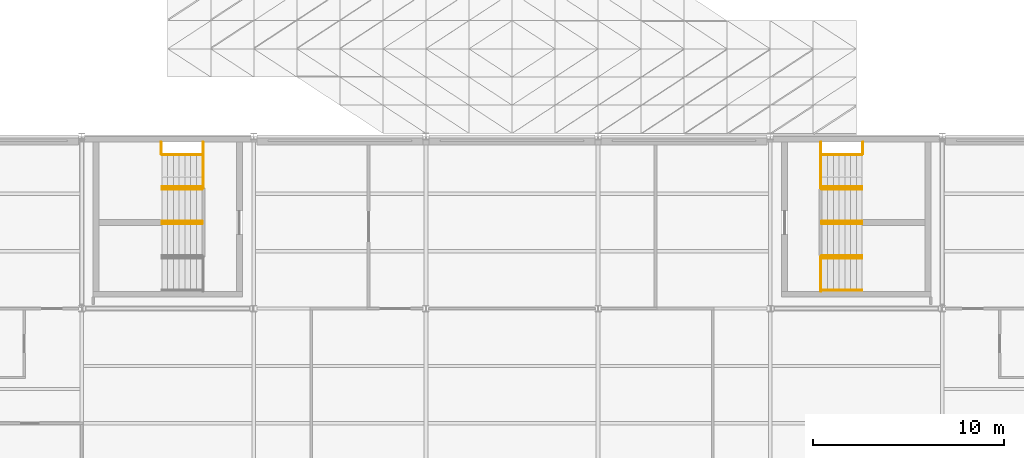
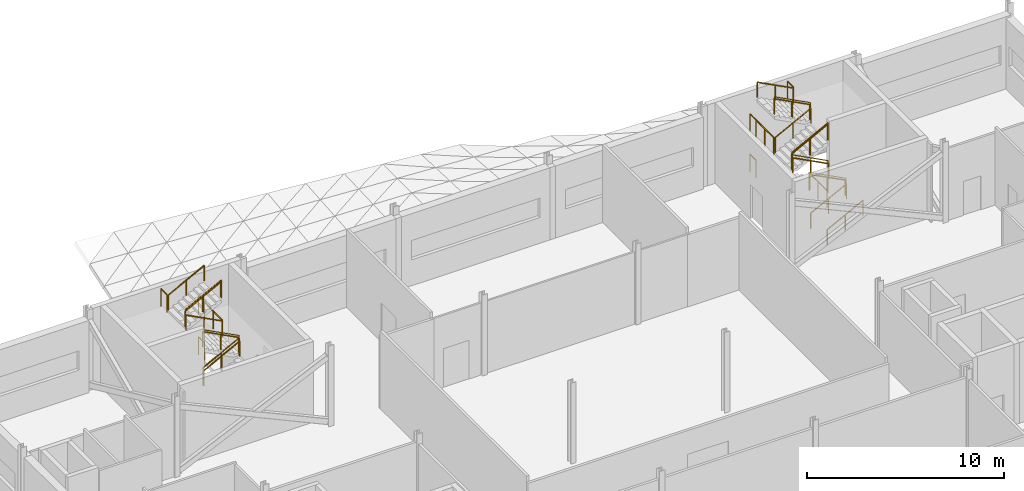
# One storey, part 111 of 112: 29 railings.
"""IFC4 building model written with IfcOpenShell, lengths in metres."""

from ifc_helpers import new_model, si_unit, direction, frame, origin, origin_2d, place, context, subcontext, project, spatial, circle, extrude, material, type_object, element, save


model = new_model("IFC4")

# Units and contexts
model_context = context("Model", 3, precision=1e-05, world=origin(), true_north=direction((0.0, 1.0)))
body_context = subcontext(model_context, "Body", "Model", "MODEL_VIEW")
ifc_project = project(units=[si_unit("LENGTHUNIT", "METRE"), si_unit("AREAUNIT", "SQUARE_METRE"), si_unit("VOLUMEUNIT", "CUBIC_METRE"), si_unit("PLANEANGLEUNIT", "RADIAN"), si_unit("MASSUNIT", "GRAM", prefix="KILO")], contexts=[model_context])

# Site, building, storey
site_placement = place(None, origin())
site = spatial("IfcSite", under=ifc_project, at=site_placement, CompositionType="ELEMENT")
building_placement = place(site_placement, origin())
building = spatial("IfcBuilding", under=site, at=building_placement, Name="Shorebreak Coast Museum", CompositionType="ELEMENT")
storey_placement = place(building_placement, frame((0.0, 0.0, 6.0)))
storey = spatial("IfcBuildingStorey", under=building, at=storey_placement, Name="L01", CompositionType="ELEMENT", Elevation=6.0)

# Railings
ifc_material_1 = material(Name="Steel Grade 300", Category="steel")
railing_type_1 = type_object("IfcRailingType", Name="Stair guard 1100", PredefinedType="GUARDRAIL", material=ifc_material_1)
railing_1_placement = place(storey_placement, frame((69.35009765625, 114.300048828125, 2.5)))
element("IfcRailing", 1, at=railing_1_placement, inside=storey, type_object=railing_type_1, Name="Guard ST09 L01 landing mid1", PredefinedType="GUARDRAIL", context=body_context, shape_type="SweptSolid", body=[
    extrude(circle(Radius=0.02490234375, at=origin_2d()), frame((0.0, 0.0, 1.0751953125), z_axis=(0.0, 1.0, 0.0), x_axis=(-1.0, 0.0, 0.0)), (0.0, 0.0, 1.0), 1.800048828125),
    extrude(circle(Radius=0.02001953125, at=origin_2d()), origin(), (0.0, 0.0, 1.0), 1.050048828125),
    extrude(circle(Radius=0.02001953125, at=origin_2d()), frame((0.0, 0.89990234375, 0.0)), (0.0, 0.0, 1.0), 1.050048828125),
    extrude(circle(Radius=0.02001953125, at=origin_2d()), frame((0.0, 1.800048828125, 0.0)), (0.0, 0.0, 1.0), 1.050048828125),
])
for number, where, name in (
    (2, (69.35009765625, 116.10009765625, 0.0), "Guard ST09 L01 landing strip"),
    (3, (69.35009765625, 116.10009765625, 2.5), "Guard ST09 L01 landing strip"),
    (4, (67.14990234375, 116.10009765625, 3.75), "Guard ST09 L01 landing strip"),
):
    element("IfcRailing", number, at=place(storey_placement, frame(where)), inside=storey, type_object=railing_type_1, Name=name, PredefinedType="GUARDRAIL", context=body_context, shape_type="SweptSolid", body=[
        extrude(circle(Radius=0.02490234375, at=origin_2d()), frame((0.0, 0.0, 1.0751953125), z_axis=(0.0, 1.0, 0.0), x_axis=(-1.0, 0.0, 0.0)), (0.0, 0.0, 1.0), 0.599853515625),
        extrude(circle(Radius=0.02001953125, at=origin_2d()), origin(), (0.0, 0.0, 1.0), 1.050048828125),
        extrude(circle(Radius=0.02001953125, at=origin_2d()), frame((0.0, 0.599853515625, 0.0)), (0.0, 0.0, 1.0), 1.050048828125),
    ])
for number, where, name in (
    (5, (67.199951171875, 114.300048828125, 3.90625), "Guard ST09-L01 well 2"),
    (6, (67.199951171875, 112.5, 1.40625), "Guard ST09-L01 side 1"),
):
    element("IfcRailing", number, at=place(storey_placement, frame(where)), inside=storey, type_object=railing_type_1, Name=name, PredefinedType="GUARDRAIL", context=body_context, shape_type="SweptSolid", body=[
        extrude(circle(Radius=0.02490234375, at=origin_2d()), frame((0.0, 0.0, 1.0751953125), z_axis=(0.8869228845, 0.0, 0.461917521804), x_axis=(0.0, 1.0, 0.0)), (0.0, 0.0, 1.0), 2.367919921875),
        extrude(circle(Radius=0.02001953125, at=origin_2d()), origin(), (0.0, 0.0, 1.0), 1.050048828125),
        extrude(circle(Radius=0.02001953125, at=origin_2d()), frame((1.050048828125, 0.0, 0.546875)), (0.0, 0.0, 1.0), 1.050048828125),
        extrude(circle(Radius=0.02001953125, at=origin_2d()), frame((2.10009765625, 0.0, 1.09375)), (0.0, 0.0, 1.0), 1.050048828125),
    ])
railing_2_placement = place(storey_placement, frame((69.300048828125, 112.5, 2.65625)))
element("IfcRailing", 7, at=railing_2_placement, inside=storey, type_object=railing_type_1, Name="Guard ST09-L01 side 2", PredefinedType="GUARDRAIL", context=body_context, shape_type="SweptSolid", body=[
    extrude(circle(Radius=0.02490234375, at=origin_2d()), frame((0.0, 0.0, 1.0751953125), z_axis=(-0.8869228845, 0.0, 0.461917521804), x_axis=(0.0, -1.0, 0.0)), (0.0, 0.0, 1.0), 2.367919921875),
    extrude(circle(Radius=0.02001953125, at=origin_2d()), origin(), (0.0, 0.0, 1.0), 1.050048828125),
    extrude(circle(Radius=0.02001953125, at=origin_2d()), frame((-1.050048828125, 0.0, 0.546875)), (0.0, 0.0, 1.0), 1.050048828125),
    extrude(circle(Radius=0.02001953125, at=origin_2d()), frame((-2.10009765625, 0.0, 1.09375)), (0.0, 0.0, 1.0), 1.050048828125),
])
for number, where, name in (
    (8, (101.64990234375, 108.89990234375, 2.5), "Guard ST10 L01 landing mid1"),
    (9, (101.64990234375, 114.300048828125, 2.5), "Guard ST10 L01 landing mid1"),
):
    element("IfcRailing", number, at=place(storey_placement, frame(where)), inside=storey, type_object=railing_type_1, Name=name, PredefinedType="GUARDRAIL", context=body_context, shape_type="SweptSolid", body=[
        extrude(circle(Radius=0.02490234375, at=origin_2d()), frame((0.0, 0.0, 1.0751953125), z_axis=(0.0, 1.0, 0.0), x_axis=(-1.0, 0.0, 0.0)), (0.0, 0.0, 1.0), 1.800048828125),
        extrude(circle(Radius=0.02001953125, at=origin_2d()), origin(), (0.0, 0.0, 1.0), 1.050048828125),
        extrude(circle(Radius=0.02001953125, at=origin_2d()), frame((0.0, 0.89990234375, 0.0)), (0.0, 0.0, 1.0), 1.050048828125),
        extrude(circle(Radius=0.02001953125, at=origin_2d()), frame((0.0, 1.800048828125, 0.0)), (0.0, 0.0, 1.0), 1.050048828125),
    ])
for number, where, name in (
    (10, (101.64990234375, 116.10009765625, 0.0), "Guard ST10 L01 landing strip"),
    (11, (101.64990234375, 116.10009765625, 2.5), "Guard ST10 L01 landing strip"),
    (12, (103.85009765625, 116.10009765625, 3.75), "Guard ST10 L01 landing strip"),
):
    element("IfcRailing", number, at=place(storey_placement, frame(where)), inside=storey, type_object=railing_type_1, Name=name, PredefinedType="GUARDRAIL", context=body_context, shape_type="SweptSolid", body=[
        extrude(circle(Radius=0.02490234375, at=origin_2d()), frame((0.0, 0.0, 1.0751953125), z_axis=(0.0, 1.0, 0.0), x_axis=(-1.0, 0.0, 0.0)), (0.0, 0.0, 1.0), 0.599853515625),
        extrude(circle(Radius=0.02001953125, at=origin_2d()), origin(), (0.0, 0.0, 1.0), 1.050048828125),
        extrude(circle(Radius=0.02001953125, at=origin_2d()), frame((0.0, 0.599853515625, 0.0)), (0.0, 0.0, 1.0), 1.050048828125),
    ])
for number, where, name in (
    (13, (103.800048828125, 110.699951171875, 1.40625), "Guard ST10-L01 well 1"),
    (14, (103.800048828125, 114.300048828125, 3.90625), "Guard ST10-L01 well 2"),
    (15, (103.800048828125, 112.5, 1.40625), "Guard ST10-L01 side 1"),
):
    element("IfcRailing", number, at=place(storey_placement, frame(where)), inside=storey, type_object=railing_type_1, Name=name, PredefinedType="GUARDRAIL", context=body_context, shape_type="SweptSolid", body=[
        extrude(circle(Radius=0.02490234375, at=origin_2d()), frame((0.0, 0.0, 1.0751953125), z_axis=(-0.8869228845, 0.0, 0.461917521804), x_axis=(0.0, -1.0, 0.0)), (0.0, 0.0, 1.0), 2.367919921875),
        extrude(circle(Radius=0.02001953125, at=origin_2d()), origin(), (0.0, 0.0, 1.0), 1.050048828125),
        extrude(circle(Radius=0.02001953125, at=origin_2d()), frame((-1.050048828125, 0.0, 0.546875)), (0.0, 0.0, 1.0), 1.050048828125),
        extrude(circle(Radius=0.02001953125, at=origin_2d()), frame((-2.10009765625, 0.0, 1.09375)), (0.0, 0.0, 1.0), 1.050048828125),
    ])
railing_3_placement = place(storey_placement, frame((101.699951171875, 112.5, 2.65625)))
element("IfcRailing", 16, at=railing_3_placement, inside=storey, type_object=railing_type_1, Name="Guard ST10-L01 side 2", PredefinedType="GUARDRAIL", context=body_context, shape_type="SweptSolid", body=[
    extrude(circle(Radius=0.02490234375, at=origin_2d()), frame((0.0, 0.0, 1.0751953125), z_axis=(0.8869228845, 0.0, 0.461917521804), x_axis=(0.0, 1.0, 0.0)), (0.0, 0.0, 1.0), 2.367919921875),
    extrude(circle(Radius=0.02001953125, at=origin_2d()), origin(), (0.0, 0.0, 1.0), 1.050048828125),
    extrude(circle(Radius=0.02001953125, at=origin_2d()), frame((1.050048828125, 0.0, 0.546875)), (0.0, 0.0, 1.0), 1.050048828125),
    extrude(circle(Radius=0.02001953125, at=origin_2d()), frame((2.10009765625, 0.0, 1.09375)), (0.0, 0.0, 1.0), 1.050048828125),
])
ifc_material_2 = material(Name="Steel Grade 300", Category="steel")
railing_type_2 = type_object("IfcRailingType", Name="Stair handrail 950", PredefinedType="HANDRAIL", material=ifc_material_2)
railing_4_placement = place(storey_placement, frame((67.199951171875, 112.43994140625, 1.40625)))
element("IfcRailing", 17, at=railing_4_placement, inside=storey, type_object=railing_type_2, Name="Handrail ST09-L01 flight 2b", PredefinedType="HANDRAIL", context=body_context, shape_type="SweptSolid", body=[
    extrude(circle(Radius=0.02490234375, at=origin_2d()), frame((0.0, 0.0, 0.9248046875), z_axis=(0.8869228845, 0.0, 0.461917521804), x_axis=(0.0, 1.0, 0.0)), (0.0, 0.0, 1.0), 2.367919921875),
    extrude(circle(Radius=0.02001953125, at=origin_2d()), origin(), (0.0, 0.0, 1.0), 0.89990234375),
    extrude(circle(Radius=0.02001953125, at=origin_2d()), frame((1.050048828125, 0.0, 0.546875)), (0.0, 0.0, 1.0), 0.89990234375),
    extrude(circle(Radius=0.02001953125, at=origin_2d()), frame((2.10009765625, 0.0, 1.09375)), (0.0, 0.0, 1.0), 0.89990234375),
])
for number, where, name in (
    (18, (69.300048828125, 112.56005859375, 2.65625), "Handrail ST09-L01 flight 3a"),
    (19, (69.300048828125, 114.239990234375, 2.65625), "Handrail ST09-L01 flight 3b"),
):
    element("IfcRailing", number, at=place(storey_placement, frame(where)), inside=storey, type_object=railing_type_2, Name=name, PredefinedType="HANDRAIL", context=body_context, shape_type="SweptSolid", body=[
        extrude(circle(Radius=0.02490234375, at=origin_2d()), frame((0.0, 0.0, 0.9248046875), z_axis=(-0.8869228845, 0.0, 0.461917521804), x_axis=(0.0, -1.0, 0.0)), (0.0, 0.0, 1.0), 2.367919921875),
        extrude(circle(Radius=0.02001953125, at=origin_2d()), origin(), (0.0, 0.0, 1.0), 0.89990234375),
        extrude(circle(Radius=0.02001953125, at=origin_2d()), frame((-1.050048828125, 0.0, 0.546875)), (0.0, 0.0, 1.0), 0.89990234375),
        extrude(circle(Radius=0.02001953125, at=origin_2d()), frame((-2.10009765625, 0.0, 1.09375)), (0.0, 0.0, 1.0), 0.89990234375),
    ])
for number, where, name in (
    (20, (67.199951171875, 114.360107421875, 3.90625), "Handrail ST09-L01 flight 4a"),
    (21, (67.199951171875, 116.0400390625, 3.90625), "Handrail ST09-L01 flight 4b"),
    (22, (101.699951171875, 108.9599609375, 0.15625), "Handrail ST10-L01 flight 1a"),
    (23, (101.699951171875, 110.639892578125, 0.15625), "Handrail ST10-L01 flight 1b"),
):
    element("IfcRailing", number, at=place(storey_placement, frame(where)), inside=storey, type_object=railing_type_2, Name=name, PredefinedType="HANDRAIL", context=body_context, shape_type="SweptSolid", body=[
        extrude(circle(Radius=0.02490234375, at=origin_2d()), frame((0.0, 0.0, 0.9248046875), z_axis=(0.8869228845, 0.0, 0.461917521804), x_axis=(0.0, 1.0, 0.0)), (0.0, 0.0, 1.0), 2.367919921875),
        extrude(circle(Radius=0.02001953125, at=origin_2d()), origin(), (0.0, 0.0, 1.0), 0.89990234375),
        extrude(circle(Radius=0.02001953125, at=origin_2d()), frame((1.050048828125, 0.0, 0.546875)), (0.0, 0.0, 1.0), 0.89990234375),
        extrude(circle(Radius=0.02001953125, at=origin_2d()), frame((2.10009765625, 0.0, 1.09375)), (0.0, 0.0, 1.0), 0.89990234375),
    ])
for number, where, name in (
    (24, (103.800048828125, 110.760009765625, 1.40625), "Handrail ST10-L01 flight 2a"),
    (25, (103.800048828125, 112.43994140625, 1.40625), "Handrail ST10-L01 flight 2b"),
):
    element("IfcRailing", number, at=place(storey_placement, frame(where)), inside=storey, type_object=railing_type_2, Name=name, PredefinedType="HANDRAIL", context=body_context, shape_type="SweptSolid", body=[
        extrude(circle(Radius=0.02490234375, at=origin_2d()), frame((0.0, 0.0, 0.9248046875), z_axis=(-0.8869228845, 0.0, 0.461917521804), x_axis=(0.0, -1.0, 0.0)), (0.0, 0.0, 1.0), 2.367919921875),
        extrude(circle(Radius=0.02001953125, at=origin_2d()), origin(), (0.0, 0.0, 1.0), 0.89990234375),
        extrude(circle(Radius=0.02001953125, at=origin_2d()), frame((-1.050048828125, 0.0, 0.546875)), (0.0, 0.0, 1.0), 0.89990234375),
        extrude(circle(Radius=0.02001953125, at=origin_2d()), frame((-2.10009765625, 0.0, 1.09375)), (0.0, 0.0, 1.0), 0.89990234375),
    ])
for number, where, name in (
    (26, (101.699951171875, 112.56005859375, 2.65625), "Handrail ST10-L01 flight 3a"),
    (27, (101.699951171875, 114.239990234375, 2.65625), "Handrail ST10-L01 flight 3b"),
):
    element("IfcRailing", number, at=place(storey_placement, frame(where)), inside=storey, type_object=railing_type_2, Name=name, PredefinedType="HANDRAIL", context=body_context, shape_type="SweptSolid", body=[
        extrude(circle(Radius=0.02490234375, at=origin_2d()), frame((0.0, 0.0, 0.9248046875), z_axis=(0.8869228845, 0.0, 0.461917521804), x_axis=(0.0, 1.0, 0.0)), (0.0, 0.0, 1.0), 2.367919921875),
        extrude(circle(Radius=0.02001953125, at=origin_2d()), origin(), (0.0, 0.0, 1.0), 0.89990234375),
        extrude(circle(Radius=0.02001953125, at=origin_2d()), frame((1.050048828125, 0.0, 0.546875)), (0.0, 0.0, 1.0), 0.89990234375),
        extrude(circle(Radius=0.02001953125, at=origin_2d()), frame((2.10009765625, 0.0, 1.09375)), (0.0, 0.0, 1.0), 0.89990234375),
    ])
for number, where, name in (
    (28, (103.800048828125, 114.360107421875, 3.90625), "Handrail ST10-L01 flight 4a"),
    (29, (103.800048828125, 116.0400390625, 3.90625), "Handrail ST10-L01 flight 4b"),
):
    element("IfcRailing", number, at=place(storey_placement, frame(where)), inside=storey, type_object=railing_type_2, Name=name, PredefinedType="HANDRAIL", context=body_context, shape_type="SweptSolid", body=[
        extrude(circle(Radius=0.02490234375, at=origin_2d()), frame((0.0, 0.0, 0.9248046875), z_axis=(-0.8869228845, 0.0, 0.461917521804), x_axis=(0.0, -1.0, 0.0)), (0.0, 0.0, 1.0), 2.367919921875),
        extrude(circle(Radius=0.02001953125, at=origin_2d()), origin(), (0.0, 0.0, 1.0), 0.89990234375),
        extrude(circle(Radius=0.02001953125, at=origin_2d()), frame((-1.050048828125, 0.0, 0.546875)), (0.0, 0.0, 1.0), 0.89990234375),
        extrude(circle(Radius=0.02001953125, at=origin_2d()), frame((-2.10009765625, 0.0, 1.09375)), (0.0, 0.0, 1.0), 0.89990234375),
    ])

save(model, "model.ifc")
